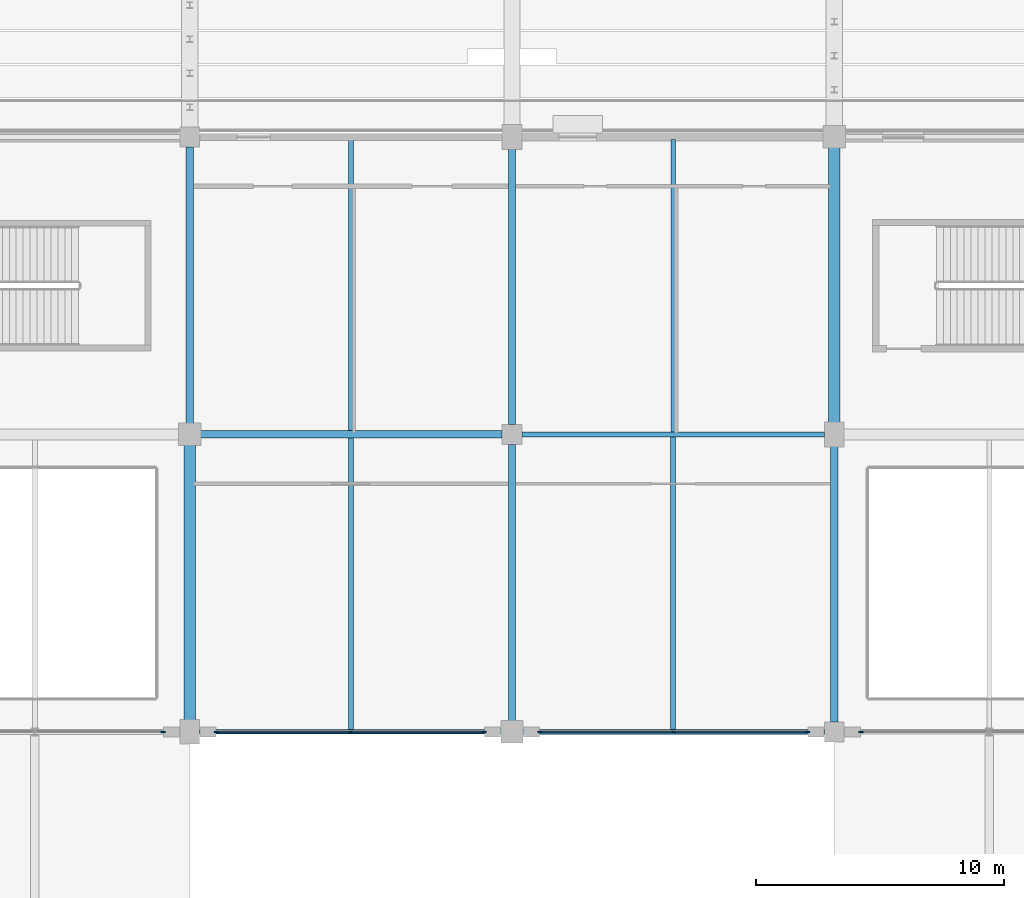
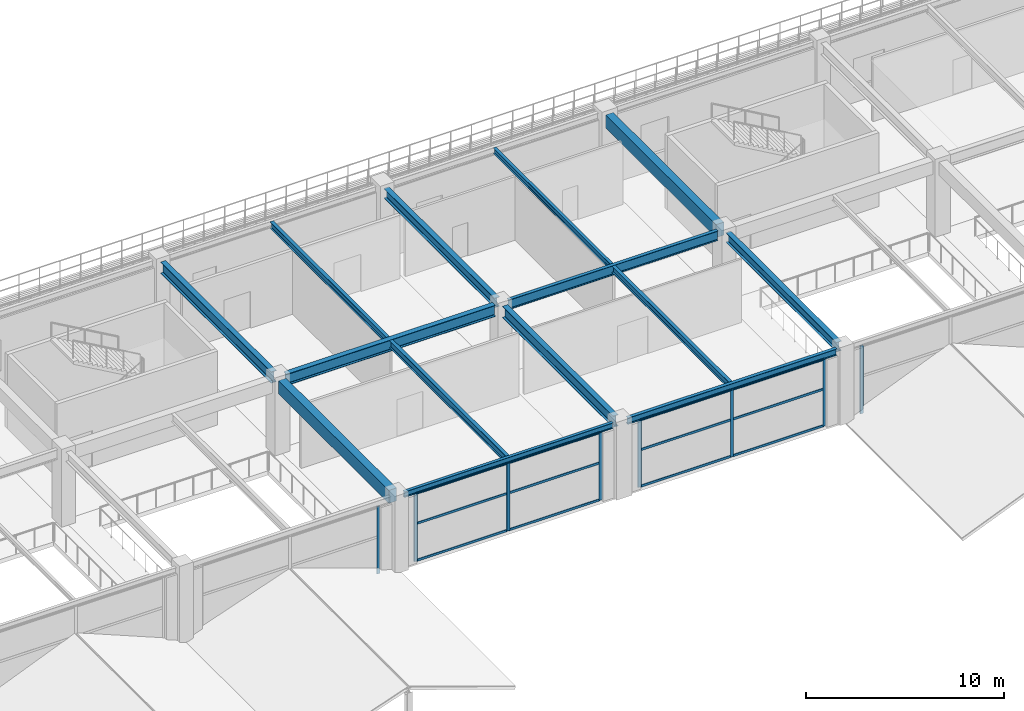
# One storey, part 14 of 134: 20 members, 14 beams, 4 elements without a shape of their own.
"""IFC4 building model written with IfcOpenShell, lengths in metres."""

from ifc_helpers import new_model, si_unit, direction, frame, origin, origin_2d, place, context, subcontext, project, spatial, rectangle, i_section, extrude, material, layer, layer_set, material_profile, profile_set, type_object, element, aggregate, save


model = new_model("IFC4")

# Units and contexts
model_context = context("Model", 3, precision=1e-05, world=origin(), true_north=direction((0.0, 1.0)))
body_context = subcontext(model_context, "Body", "Model", "MODEL_VIEW")
ifc_project = project(units=[si_unit("LENGTHUNIT", "METRE"), si_unit("AREAUNIT", "SQUARE_METRE"), si_unit("VOLUMEUNIT", "CUBIC_METRE"), si_unit("PLANEANGLEUNIT", "RADIAN"), si_unit("MASSUNIT", "GRAM", prefix="KILO")], contexts=[model_context])

# Site, building, storey
site_placement = place(None, origin())
site = spatial("IfcSite", under=ifc_project, at=site_placement, CompositionType="ELEMENT")
building_placement = place(site_placement, origin())
building = spatial("IfcBuilding", under=site, at=building_placement, Name="Kazenohara Klinker Stadium", CompositionType="ELEMENT")
storey_placement = place(building_placement, frame((0.0, 0.0, 5.39990234375)))
storey = spatial("IfcBuildingStorey", under=building, at=storey_placement, Name="L01", CompositionType="ELEMENT", Elevation=5.39990234375)

# Beams
ifc_material_1 = material(Name="Steel S355", Category="steel")
ifc_material_profile_1 = material_profile(ifc_material_1, i_section(OverallWidth=0.199951171875, OverallDepth=0.449951171875, WebThickness=0.009033203125, FlangeThickness=0.013916015625, FilletRadius=0.012939453125, at=origin_2d()), Name="H-450x200x9x14")
ifc_profile_set_1 = profile_set([ifc_material_profile_1], Name="Steel S355")
beam_type_1 = type_object("IfcBeamType", Name="BM-JST02", PredefinedType="JOIST", material=ifc_profile_set_1)
beam_1_placement = place(storey_placement, frame((105.5, 12.08740234375, 4.3251953125), z_axis=(0.0, 1.0, 0.0), x_axis=(-1.0, 0.0, 0.0)))
element("IfcBeam", 1, at=beam_1_placement, inside=storey, type_object=beam_type_1, Name="Secondary floor joist SJ02 L01 9/B", PredefinedType="JOIST", context=body_context, shape_type="SweptSolid", body=[
    extrude(i_section(OverallWidth=0.199951171875, OverallDepth=0.449951171875, WebThickness=0.009033203125, FlangeThickness=0.013916015625, FilletRadius=0.012939453125, at=origin_2d()), origin(), (0.0, 0.0, 1.0), 11.7626953125),
])
ifc_material_profile_2 = material_profile(ifc_material_1, i_section(OverallWidth=0.199951171875, OverallDepth=0.39990234375, WebThickness=0.008056640625, FlangeThickness=0.012939453125, FilletRadius=0.012939453125, at=origin_2d()), Name="H-400x200x8x13")
ifc_profile_set_2 = profile_set([ifc_material_profile_2], Name="Steel S355")
beam_type_2 = type_object("IfcBeamType", Name="BM-JST03", PredefinedType="JOIST", material=ifc_profile_set_2)
beam_2_placement = place(storey_placement, frame((105.5, 24.14990234375, 4.35009765625), z_axis=(0.0, 1.0, 0.0), x_axis=(-1.0, 0.0, 0.0)))
element("IfcBeam", 2, at=beam_2_placement, inside=storey, type_object=beam_type_2, Name="Secondary floor joist SJ03 L01 9/C", PredefinedType="JOIST", context=body_context, shape_type="SweptSolid", body=[
    extrude(i_section(OverallWidth=0.199951171875, OverallDepth=0.39990234375, WebThickness=0.008056640625, FlangeThickness=0.012939453125, FilletRadius=0.012939453125, at=origin_2d()), origin(), (0.0, 0.0, 1.0), 11.7626953125),
])
beam_3_placement = place(storey_placement, frame((118.5, 12.10009765625, 4.35009765625), z_axis=(0.0, 1.0, 0.0), x_axis=(-1.0, 0.0, 0.0)))
element("IfcBeam", 3, at=beam_3_placement, inside=storey, type_object=beam_type_2, Name="Secondary floor joist SJ03 L01 10/B", PredefinedType="JOIST", context=body_context, shape_type="SweptSolid", body=[
    extrude(i_section(OverallWidth=0.199951171875, OverallDepth=0.39990234375, WebThickness=0.008056640625, FlangeThickness=0.012939453125, FilletRadius=0.012939453125, at=origin_2d()), origin(), (0.0, 0.0, 1.0), 11.7998046875),
])
ifc_material_profile_3 = material_profile(ifc_material_1, i_section(OverallWidth=0.175048828125, OverallDepth=0.35009765625, WebThickness=0.007080078125, FlangeThickness=0.010986328125, FilletRadius=0.012939453125, at=origin_2d()), Name="H-350x175x7x11")
ifc_profile_set_3 = profile_set([ifc_material_profile_3], Name="Steel S355")
beam_type_3 = type_object("IfcBeamType", Name="BM-JST04", PredefinedType="JOIST", material=ifc_profile_set_3)
beam_4_placement = place(storey_placement, frame((118.5, 24.10009765625, 4.375), z_axis=(0.0, 1.0, 0.0), x_axis=(-1.0, 0.0, 0.0)))
element("IfcBeam", 4, at=beam_4_placement, inside=storey, type_object=beam_type_3, Name="Secondary floor joist SJ04 L01 10/C", PredefinedType="JOIST", context=body_context, shape_type="SweptSolid", body=[
    extrude(i_section(OverallWidth=0.175048828125, OverallDepth=0.35009765625, WebThickness=0.007080078125, FlangeThickness=0.010986328125, FilletRadius=0.012939453125, at=origin_2d()), origin(), (0.0, 0.0, 1.0), 11.7998046875),
])
ifc_material_2 = material(Name="Concrete C40/50", Category="concrete")
ifc_material_profile_4 = material_profile(ifc_material_2, rectangle(XDim=0.449951171875, YDim=0.800048828125, at=origin_2d()), Name="RC-BM-450x800")
ifc_profile_set_4 = profile_set([ifc_material_profile_4], Name="Concrete C40/50")
beam_type_4 = type_object("IfcBeamType", Name="BM-RC03", PredefinedType="BEAM", material=ifc_profile_set_4)
for number, where, z_axis, x_axis, name in (
    (5, (99.0, 12.419921875, 4.150146484375), (0.0, 1.0, 0.0), (-1.0, 0.0, 0.0), "Primary girder BG03 L01 9/B-C"),
    (6, (125.0, 24.419921875, 4.150146484375), (0.0, 1.0, 0.0), (-1.0, 0.0, 0.0), "Primary girder BG03 L01 11/C-D"),
):
    element("IfcBeam", number, at=place(storey_placement, frame(where, z_axis=z_axis, x_axis=x_axis)), inside=storey, type_object=beam_type_4, Name=name, PredefinedType="BEAM", context=body_context, shape_type="SweptSolid", body=[
        extrude(rectangle(XDim=0.449951171875, YDim=0.800048828125, at=origin_2d()), origin(), (0.0, 0.0, 1.0), 11.16015625),
    ])
ifc_material_profile_5 = material_profile(ifc_material_1, i_section(OverallWidth=0.199951171875, OverallDepth=0.39990234375, WebThickness=0.008056640625, FlangeThickness=0.012939453125, FilletRadius=0.012939453125, at=origin_2d()), Name="H-400x200x8x13")
ifc_profile_set_5 = profile_set([ifc_material_profile_5], Name="Steel S355")
beam_type_5 = type_object("IfcBeamType", Name="BM-SPD01", PredefinedType="SPANDREL", material=ifc_profile_set_5)
beam_5_placement = place(storey_placement, frame((112.419921875, 12.0, 4.35009765625), z_axis=(1.0, 0.0, 0.0), x_axis=(0.0, 1.0, 0.0)))
element("IfcBeam", 7, at=beam_5_placement, inside=storey, type_object=beam_type_5, Name="Primary girder SP01 L01 10-11/B", PredefinedType="SPANDREL", context=body_context, shape_type="SweptSolid", body=[
    extrude(i_section(OverallWidth=0.199951171875, OverallDepth=0.39990234375, WebThickness=0.008056640625, FlangeThickness=0.012939453125, FilletRadius=0.012939453125, at=origin_2d()), origin(), (0.0, 0.0, 1.0), 12.18017578125),
])
ifc_material_profile_6 = material_profile(ifc_material_1, i_section(OverallWidth=0.175048828125, OverallDepth=0.35009765625, WebThickness=0.007080078125, FlangeThickness=0.010986328125, FilletRadius=0.012939453125, at=origin_2d()), Name="H-350x175x7x11")
ifc_profile_set_6 = profile_set([ifc_material_profile_6], Name="Steel S355")
beam_type_6 = type_object("IfcBeamType", Name="BM-SPD02", PredefinedType="SPANDREL", material=ifc_profile_set_6)
beam_6_placement = place(storey_placement, frame((99.39990234375, 12.0, 4.375), z_axis=(1.0, 0.0, 0.0), x_axis=(0.0, 1.0, 0.0)))
element("IfcBeam", 8, at=beam_6_placement, inside=storey, type_object=beam_type_6, Name="Primary girder SP02 L01 9-10/B", PredefinedType="SPANDREL", context=body_context, shape_type="SweptSolid", body=[
    extrude(i_section(OverallWidth=0.175048828125, OverallDepth=0.35009765625, WebThickness=0.007080078125, FlangeThickness=0.010986328125, FilletRadius=0.012939453125, at=origin_2d()), origin(), (0.0, 0.0, 1.0), 12.18017578125),
])
ifc_material_profile_7 = material_profile(ifc_material_1, i_section(OverallWidth=0.300048828125, OverallDepth=0.699951171875, WebThickness=0.012939453125, FlangeThickness=0.02392578125, FilletRadius=0.02197265625, at=origin_2d()), Name="H-700x300x13x24")
ifc_profile_set_7 = profile_set([ifc_material_profile_7], Name="Steel S355")
beam_type_7 = type_object("IfcBeamType", Name="BM-ST03", PredefinedType="BEAM", material=ifc_profile_set_7)
beam_7_placement = place(storey_placement, frame((99.419921875, 24.0, 4.2001953125), z_axis=(1.0, 0.0, 0.0), x_axis=(0.0, 1.0, 0.0)))
element("IfcBeam", 9, at=beam_7_placement, inside=storey, type_object=beam_type_7, Name="Primary girder SB03 L01 9-10/C", PredefinedType="BEAM", context=body_context, shape_type="SweptSolid", body=[
    extrude(i_section(OverallWidth=0.300048828125, OverallDepth=0.699951171875, WebThickness=0.012939453125, FlangeThickness=0.02392578125, FilletRadius=0.02197265625, at=origin_2d()), origin(), (0.0, 0.0, 1.0), 12.18017578125),
])
for number, where, z_axis, x_axis, name in (
    (10, (99.0, 24.419921875, 4.2001953125), (0.0, 1.0, 0.0), (-1.0, 0.0, 0.0), "Primary girder SB03 L01 9/C-D"),
    (11, (112.0, 12.419921875, 4.2001953125), (0.0, 1.0, 0.0), (-1.0, 0.0, 0.0), "Primary girder SB03 L01 10/B-C"),
):
    element("IfcBeam", number, at=place(storey_placement, frame(where, z_axis=z_axis, x_axis=x_axis)), inside=storey, type_object=beam_type_7, Name=name, PredefinedType="BEAM", context=body_context, shape_type="SweptSolid", body=[
        extrude(i_section(OverallWidth=0.300048828125, OverallDepth=0.699951171875, WebThickness=0.012939453125, FlangeThickness=0.02392578125, FilletRadius=0.02197265625, at=origin_2d()), origin(), (0.0, 0.0, 1.0), 11.18017578125),
    ])
ifc_material_profile_8 = material_profile(ifc_material_1, i_section(OverallWidth=0.199951171875, OverallDepth=0.60009765625, WebThickness=0.010986328125, FlangeThickness=0.01708984375, FilletRadius=0.012939453125, at=origin_2d()), Name="H-600x200x11x17")
ifc_profile_set_8 = profile_set([ifc_material_profile_8], Name="Steel S355")
beam_type_8 = type_object("IfcBeamType", Name="BM-ST04", PredefinedType="BEAM", material=ifc_profile_set_8)
beam_8_placement = place(storey_placement, frame((112.39990234375, 24.0, 4.25), z_axis=(1.0, 0.0, 0.0), x_axis=(0.0, 1.0, 0.0)))
element("IfcBeam", 12, at=beam_8_placement, inside=storey, type_object=beam_type_8, Name="Primary girder SB04 L01 10-11/C", PredefinedType="BEAM", context=body_context, shape_type="SweptSolid", body=[
    extrude(i_section(OverallWidth=0.199951171875, OverallDepth=0.60009765625, WebThickness=0.010986328125, FlangeThickness=0.01708984375, FilletRadius=0.012939453125, at=origin_2d()), origin(), (0.0, 0.0, 1.0), 12.2001953125),
])
ifc_material_profile_9 = material_profile(ifc_material_1, i_section(OverallWidth=0.300048828125, OverallDepth=0.587890625, WebThickness=0.011962890625, FlangeThickness=0.02001953125, FilletRadius=0.02197265625, at=origin_2d()), Name="H-588x300x12x20")
ifc_profile_set_9 = profile_set([ifc_material_profile_9], Name="Steel S355")
beam_type_9 = type_object("IfcBeamType", Name="BM-ST05", PredefinedType="BEAM", material=ifc_profile_set_9)
for number, where, z_axis, x_axis, name in (
    (13, (112.0, 24.39990234375, 4.256103515625), (0.0, 1.0, 0.0), (-1.0, 0.0, 0.0), "Primary girder SB05 L01 10/C-D"),
    (14, (125.0, 12.39990234375, 4.256103515625), (0.0, 1.0, 0.0), (-1.0, 0.0, 0.0), "Primary girder SB05 L01 11/B-C"),
):
    element("IfcBeam", number, at=place(storey_placement, frame(where, z_axis=z_axis, x_axis=x_axis)), inside=storey, type_object=beam_type_9, Name=name, PredefinedType="BEAM", context=body_context, shape_type="SweptSolid", body=[
        extrude(i_section(OverallWidth=0.300048828125, OverallDepth=0.587890625, WebThickness=0.011962890625, FlangeThickness=0.02001953125, FilletRadius=0.02197265625, at=origin_2d()), origin(), (0.0, 0.0, 1.0), 11.18017578125),
    ])

# Curtain wall, member
ifc_material_3 = material(Name="Anodised aluminium and triple glazing", Category="aluminium")
ifc_layer_1 = layer(ifc_material_3, 0.169921875)
ifc_layer_set_1 = layer_set([ifc_layer_1], Name="Anodised aluminium and triple glazing")
curtain_wall_type_1 = type_object("IfcCurtainWallType", Name="CW-SYS-04", PredefinedType="USERDEFINED", material=ifc_layer_set_1)
curtain_wall_1_placement = place(storey_placement, origin())
curtain_wall_1 = element("IfcCurtainWall", 15, at=curtain_wall_1_placement, inside=storey, type_object=curtain_wall_type_1, Name="Unitised facade curtain wall CW04 L01 X7-1", ObjectType="UNITISED CURTAIN WALL", PredefinedType="USERDEFINED")
ifc_material_4 = material(Name="Anodised aluminium 6063-T6", Category="aluminium")
ifc_material_profile_10 = material_profile(ifc_material_4, rectangle(XDim=0.06494140625, YDim=0.179931640625, at=origin_2d()), Name="ALU-MUL-65x180")
ifc_profile_set_10 = profile_set([ifc_material_profile_10], Name="Anodised aluminium 6063-T6")
member_type_1 = type_object("IfcMemberType", Name="CW-MUL-180", PredefinedType="MULLION", material=ifc_profile_set_10)
member_1_placement = place(storey_placement, frame((97.91357421875, 12.0, 0.0), z_axis=(0.0, 0.0, 1.0), x_axis=(0.0, 1.0, 0.0)))
member_1 = element("IfcMember", 16, at=member_1_placement, type_object=member_type_1, Name="CW04 mullion 3", PredefinedType="MULLION", context=body_context, shape_type="SweptSolid", body=[
    extrude(rectangle(XDim=0.06494140625, YDim=0.179931640625, at=origin_2d()), origin(), (0.0, 0.0, 1.0), 4.150146484375),
])
aggregate(curtain_wall_1, [member_1])

# Curtain wall, members
ifc_layer_2 = layer(ifc_material_3, 0.159912109375)
ifc_layer_set_2 = layer_set([ifc_layer_2], Name="Anodised aluminium and triple glazing")
curtain_wall_type_2 = type_object("IfcCurtainWallType", Name="CW-SYS-01", PredefinedType="USERDEFINED", material=ifc_layer_set_2)
curtain_wall_2_placement = place(storey_placement, origin())
curtain_wall_2 = element("IfcCurtainWall", 17, at=curtain_wall_2_placement, inside=storey, type_object=curtain_wall_type_2, Name="Unitised facade curtain wall CW01 L01 X8-1", ObjectType="UNITISED CURTAIN WALL", PredefinedType="USERDEFINED")
member_2_placement = place(storey_placement, frame((100.08642578125, 12.0, 0.0), z_axis=(0.0, 0.0, 1.0), x_axis=(0.0, 1.0, 0.0)))
member_2 = element("IfcMember", 18, at=member_2_placement, type_object=member_type_1, Name="CW01 mullion 1", PredefinedType="MULLION", context=body_context, shape_type="SweptSolid", body=[
    extrude(rectangle(XDim=0.06494140625, YDim=0.179931640625, at=origin_2d()), origin(), (0.0, 0.0, 1.0), 4.2001953125),
])
member_3_placement = place(storey_placement, frame((105.47509765625, 12.0, 0.0), z_axis=(0.0, 0.0, 1.0), x_axis=(0.0, 1.0, 0.0)))
member_3 = element("IfcMember", 19, at=member_3_placement, type_object=member_type_1, Name="CW01 mullion 2", PredefinedType="MULLION", context=body_context, shape_type="SweptSolid", body=[
    extrude(rectangle(XDim=0.06494140625, YDim=0.179931640625, at=origin_2d()), origin(), (0.0, 0.0, 1.0), 4.2001953125),
])
member_4_placement = place(storey_placement, frame((110.863525390625, 12.0, 0.0), z_axis=(0.0, 0.0, 1.0), x_axis=(0.0, 1.0, 0.0)))
member_4 = element("IfcMember", 20, at=member_4_placement, type_object=member_type_1, Name="CW01 mullion 3", PredefinedType="MULLION", context=body_context, shape_type="SweptSolid", body=[
    extrude(rectangle(XDim=0.06494140625, YDim=0.179931640625, at=origin_2d()), origin(), (0.0, 0.0, 1.0), 4.2001953125),
])

ifc_layer_3 = layer(ifc_material_3, 0.199951171875)
ifc_layer_set_3 = layer_set([ifc_layer_3], Name="Anodised aluminium and triple glazing")
curtain_wall_type_3 = type_object("IfcCurtainWallType", Name="CW-SYS-03", PredefinedType="USERDEFINED", material=ifc_layer_set_3)
curtain_wall_3_placement = place(storey_placement, origin())
curtain_wall_3 = element("IfcCurtainWall", 21, at=curtain_wall_3_placement, inside=storey, type_object=curtain_wall_type_3, Name="Unitised facade curtain wall CW03 L01 X9-1", ObjectType="UNITISED CURTAIN WALL", PredefinedType="USERDEFINED")
member_5_placement = place(storey_placement, frame((113.136474609375, 12.0, 0.0), z_axis=(0.0, 0.0, 1.0), x_axis=(0.0, 1.0, 0.0)))
member_5 = element("IfcMember", 22, at=member_5_placement, type_object=member_type_1, Name="CW03 mullion 1", PredefinedType="MULLION", context=body_context, shape_type="SweptSolid", body=[
    extrude(rectangle(XDim=0.06494140625, YDim=0.179931640625, at=origin_2d()), origin(), (0.0, 0.0, 1.0), 4.150146484375),
])
member_6_placement = place(storey_placement, frame((118.52490234375, 12.0, 0.0), z_axis=(0.0, 0.0, 1.0), x_axis=(0.0, 1.0, 0.0)))
member_6 = element("IfcMember", 23, at=member_6_placement, type_object=member_type_1, Name="CW03 mullion 2", PredefinedType="MULLION", context=body_context, shape_type="SweptSolid", body=[
    extrude(rectangle(XDim=0.06494140625, YDim=0.179931640625, at=origin_2d()), origin(), (0.0, 0.0, 1.0), 4.150146484375),
])
member_7_placement = place(storey_placement, frame((123.91357421875, 12.0, 0.0), z_axis=(0.0, 0.0, 1.0), x_axis=(0.0, 1.0, 0.0)))
member_7 = element("IfcMember", 24, at=member_7_placement, type_object=member_type_1, Name="CW03 mullion 3", PredefinedType="MULLION", context=body_context, shape_type="SweptSolid", body=[
    extrude(rectangle(XDim=0.06494140625, YDim=0.179931640625, at=origin_2d()), origin(), (0.0, 0.0, 1.0), 4.150146484375),
])

# Curtain wall, member
ifc_layer_4 = layer(ifc_material_3, 0.18994140625)
ifc_layer_set_4 = layer_set([ifc_layer_4], Name="Anodised aluminium and triple glazing")
curtain_wall_type_4 = type_object("IfcCurtainWallType", Name="CW-SYS-05", PredefinedType="USERDEFINED", material=ifc_layer_set_4)
curtain_wall_4_placement = place(storey_placement, origin())
curtain_wall_4 = element("IfcCurtainWall", 25, at=curtain_wall_4_placement, inside=storey, type_object=curtain_wall_type_4, Name="Unitised facade curtain wall CW05 L01 X10-1", ObjectType="UNITISED CURTAIN WALL", PredefinedType="USERDEFINED")
member_8_placement = place(storey_placement, frame((126.08642578125, 12.0, 0.0), z_axis=(0.0, 0.0, 1.0), x_axis=(0.0, 1.0, 0.0)))
member_8 = element("IfcMember", 26, at=member_8_placement, type_object=member_type_1, Name="CW05 mullion 1", PredefinedType="MULLION", context=body_context, shape_type="SweptSolid", body=[
    extrude(rectangle(XDim=0.06494140625, YDim=0.179931640625, at=origin_2d()), origin(), (0.0, 0.0, 1.0), 4.2001953125),
])
aggregate(curtain_wall_4, [member_8])

# Member
ifc_material_profile_11 = material_profile(ifc_material_4, rectangle(XDim=0.06494140625, YDim=0.139892578125, at=origin_2d()), Name="ALU-TRN-65x140")
ifc_profile_set_11 = profile_set([ifc_material_profile_11], Name="Anodised aluminium 6063-T6")
member_type_2 = type_object("IfcMemberType", Name="CW-TRN-140", PredefinedType="USERDEFINED", material=ifc_profile_set_11)
member_9_placement = place(storey_placement, frame((100.118896484375, 12.0, 0.03271484375), z_axis=(1.0, 0.0, 0.0), x_axis=(0.0, 1.0, 0.0)))
member_9 = element("IfcMember", 27, at=member_9_placement, type_object=member_type_2, Name="CW01 transom 1.1", ObjectType="TRANSOM", PredefinedType="USERDEFINED", context=body_context, shape_type="SweptSolid", body=[
    extrude(rectangle(XDim=0.06494140625, YDim=0.139892578125, at=origin_2d()), origin(), (0.0, 0.0, 1.0), 5.323486328125),
])

member_10_placement = place(storey_placement, frame((100.118896484375, 12.0, 2.31005859375), z_axis=(1.0, 0.0, 0.0), x_axis=(0.0, 1.0, 0.0)))
member_10 = element("IfcMember", 28, at=member_10_placement, type_object=member_type_2, Name="CW01 transom 1.2", ObjectType="TRANSOM", PredefinedType="USERDEFINED", context=body_context, shape_type="SweptSolid", body=[
    extrude(rectangle(XDim=0.06494140625, YDim=0.139892578125, at=origin_2d()), origin(), (0.0, 0.0, 1.0), 5.323486328125),
])

member_11_placement = place(storey_placement, frame((100.118896484375, 12.0, 4.16748046875), z_axis=(1.0, 0.0, 0.0), x_axis=(0.0, 1.0, 0.0)))
member_11 = element("IfcMember", 29, at=member_11_placement, type_object=member_type_2, Name="CW01 transom 1.3", ObjectType="TRANSOM", PredefinedType="USERDEFINED", context=body_context, shape_type="SweptSolid", body=[
    extrude(rectangle(XDim=0.06494140625, YDim=0.139892578125, at=origin_2d()), origin(), (0.0, 0.0, 1.0), 5.323486328125),
])

member_12_placement = place(storey_placement, frame((105.507568359375, 12.0, 0.03271484375), z_axis=(1.0, 0.0, 0.0), x_axis=(0.0, 1.0, 0.0)))
member_12 = element("IfcMember", 30, at=member_12_placement, type_object=member_type_2, Name="CW01 transom 2.1", ObjectType="TRANSOM", PredefinedType="USERDEFINED", context=body_context, shape_type="SweptSolid", body=[
    extrude(rectangle(XDim=0.06494140625, YDim=0.139892578125, at=origin_2d()), origin(), (0.0, 0.0, 1.0), 5.323486328125),
])

member_13_placement = place(storey_placement, frame((105.507568359375, 12.0, 2.31005859375), z_axis=(1.0, 0.0, 0.0), x_axis=(0.0, 1.0, 0.0)))
member_13 = element("IfcMember", 31, at=member_13_placement, type_object=member_type_2, Name="CW01 transom 2.2", ObjectType="TRANSOM", PredefinedType="USERDEFINED", context=body_context, shape_type="SweptSolid", body=[
    extrude(rectangle(XDim=0.06494140625, YDim=0.139892578125, at=origin_2d()), origin(), (0.0, 0.0, 1.0), 5.323486328125),
])

member_14_placement = place(storey_placement, frame((105.507568359375, 12.0, 4.16748046875), z_axis=(1.0, 0.0, 0.0), x_axis=(0.0, 1.0, 0.0)))
member_14 = element("IfcMember", 32, at=member_14_placement, type_object=member_type_2, Name="CW01 transom 2.3", ObjectType="TRANSOM", PredefinedType="USERDEFINED", context=body_context, shape_type="SweptSolid", body=[
    extrude(rectangle(XDim=0.06494140625, YDim=0.139892578125, at=origin_2d()), origin(), (0.0, 0.0, 1.0), 5.323486328125),
])

aggregate(curtain_wall_2, [member_2, member_3, member_4, member_9, member_10, member_11, member_12, member_13, member_14])

member_15_placement = place(storey_placement, frame((113.1689453125, 12.0, 0.03271484375), z_axis=(1.0, 0.0, 0.0), x_axis=(0.0, 1.0, 0.0)))
member_15 = element("IfcMember", 33, at=member_15_placement, type_object=member_type_2, Name="CW03 transom 1.1", ObjectType="TRANSOM", PredefinedType="USERDEFINED", context=body_context, shape_type="SweptSolid", body=[
    extrude(rectangle(XDim=0.06494140625, YDim=0.139892578125, at=origin_2d()), origin(), (0.0, 0.0, 1.0), 5.323486328125),
])

member_16_placement = place(storey_placement, frame((113.1689453125, 12.0, 2.28271484375), z_axis=(1.0, 0.0, 0.0), x_axis=(0.0, 1.0, 0.0)))
member_16 = element("IfcMember", 34, at=member_16_placement, type_object=member_type_2, Name="CW03 transom 1.2", ObjectType="TRANSOM", PredefinedType="USERDEFINED", context=body_context, shape_type="SweptSolid", body=[
    extrude(rectangle(XDim=0.06494140625, YDim=0.139892578125, at=origin_2d()), origin(), (0.0, 0.0, 1.0), 5.323486328125),
])

member_17_placement = place(storey_placement, frame((113.1689453125, 12.0, 4.11767578125), z_axis=(1.0, 0.0, 0.0), x_axis=(0.0, 1.0, 0.0)))
member_17 = element("IfcMember", 35, at=member_17_placement, type_object=member_type_2, Name="CW03 transom 1.3", ObjectType="TRANSOM", PredefinedType="USERDEFINED", context=body_context, shape_type="SweptSolid", body=[
    extrude(rectangle(XDim=0.06494140625, YDim=0.139892578125, at=origin_2d()), origin(), (0.0, 0.0, 1.0), 5.323486328125),
])

member_18_placement = place(storey_placement, frame((118.5576171875, 12.0, 0.03271484375), z_axis=(1.0, 0.0, 0.0), x_axis=(0.0, 1.0, 0.0)))
member_18 = element("IfcMember", 36, at=member_18_placement, type_object=member_type_2, Name="CW03 transom 2.1", ObjectType="TRANSOM", PredefinedType="USERDEFINED", context=body_context, shape_type="SweptSolid", body=[
    extrude(rectangle(XDim=0.06494140625, YDim=0.139892578125, at=origin_2d()), origin(), (0.0, 0.0, 1.0), 5.323486328125),
])

member_19_placement = place(storey_placement, frame((118.5576171875, 12.0, 2.28271484375), z_axis=(1.0, 0.0, 0.0), x_axis=(0.0, 1.0, 0.0)))
member_19 = element("IfcMember", 37, at=member_19_placement, type_object=member_type_2, Name="CW03 transom 2.2", ObjectType="TRANSOM", PredefinedType="USERDEFINED", context=body_context, shape_type="SweptSolid", body=[
    extrude(rectangle(XDim=0.06494140625, YDim=0.139892578125, at=origin_2d()), origin(), (0.0, 0.0, 1.0), 5.323486328125),
])

member_20_placement = place(storey_placement, frame((118.5576171875, 12.0, 4.11767578125), z_axis=(1.0, 0.0, 0.0), x_axis=(0.0, 1.0, 0.0)))
member_20 = element("IfcMember", 38, at=member_20_placement, type_object=member_type_2, Name="CW03 transom 2.3", ObjectType="TRANSOM", PredefinedType="USERDEFINED", context=body_context, shape_type="SweptSolid", body=[
    extrude(rectangle(XDim=0.06494140625, YDim=0.139892578125, at=origin_2d()), origin(), (0.0, 0.0, 1.0), 5.323486328125),
])

aggregate(curtain_wall_3, [member_5, member_6, member_7, member_15, member_16, member_17, member_18, member_19, member_20])

save(model, "model.ifc")
